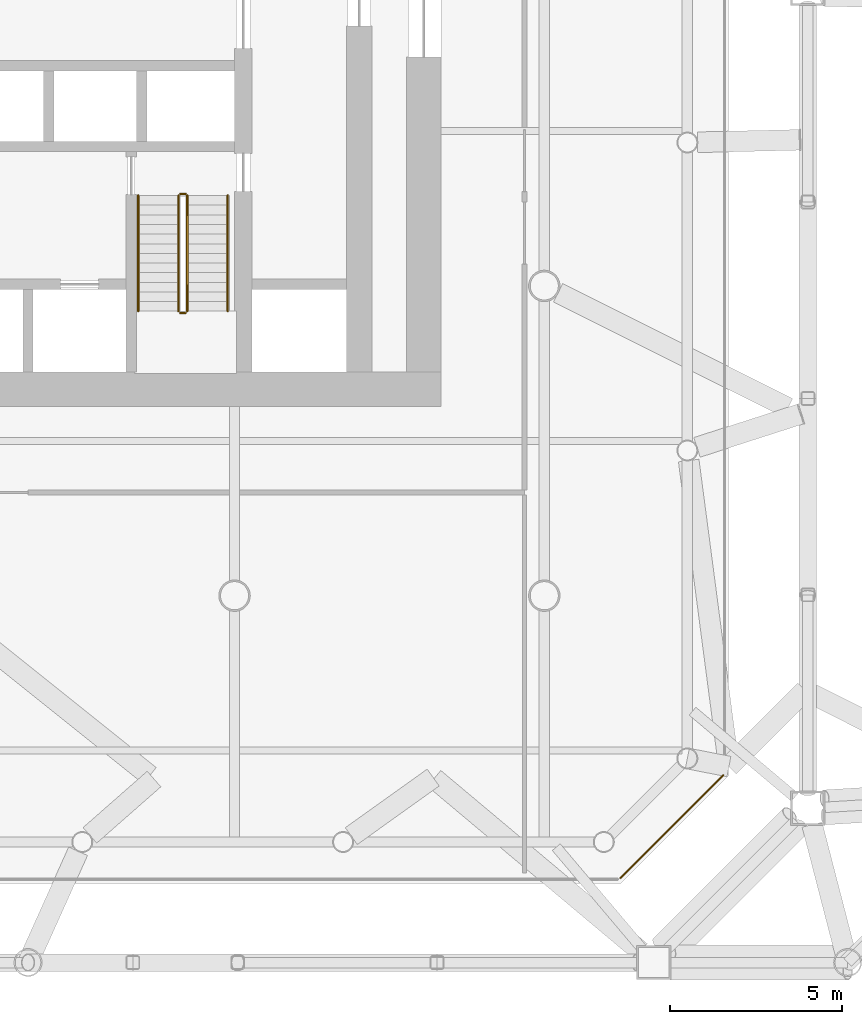
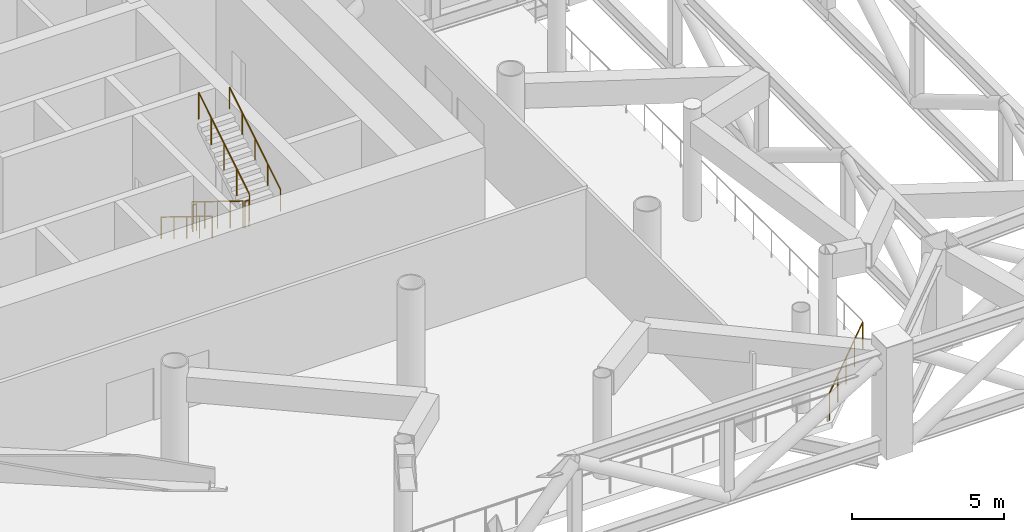
# One storey, part 19 of 22: 7 railings.
"""IFC4 building model written with IfcOpenShell, lengths in metres."""

from ifc_helpers import new_model, si_unit, direction, frame, origin, origin_2d, place, context, subcontext, project, spatial, circle, extrude, material, type_object, element, save


model = new_model("IFC4")

# Units and contexts
model_context = context("Model", 3, precision=1e-05, world=origin(), true_north=direction((0.0, 1.0)))
body_context = subcontext(model_context, "Body", "Model", "MODEL_VIEW")
ifc_project = project(units=[si_unit("LENGTHUNIT", "METRE"), si_unit("AREAUNIT", "SQUARE_METRE"), si_unit("VOLUMEUNIT", "CUBIC_METRE"), si_unit("PLANEANGLEUNIT", "RADIAN"), si_unit("MASSUNIT", "GRAM", prefix="KILO")], contexts=[model_context])

# Site, building, storey
site_placement = place(None, origin())
site = spatial("IfcSite", under=ifc_project, at=site_placement, CompositionType="ELEMENT")
building_placement = place(site_placement, origin())
building = spatial("IfcBuilding", under=site, at=building_placement, Name="Tskaro Facet Tower", CompositionType="ELEMENT")
storey_placement = place(building_placement, frame((0.0, 0.0, 57.60009765625)))
storey = spatial("IfcBuildingStorey", under=building, at=storey_placement, Name="L13", CompositionType="ELEMENT", Elevation=57.60009765625)

# Railings
ifc_material_1 = material(Name="Bronze anodised aluminium 6063-T6", Category="aluminium")
railing_type_1 = type_object("IfcRailingType", Name="Bronze guard rail (GD1)", PredefinedType="GUARDRAIL", material=ifc_material_1)
railing_1_placement = place(storey_placement, frame((20.207763671875, -26.205078125, 0.0)))
element("IfcRailing", 1, at=railing_1_placement, inside=storey, type_object=railing_type_1, Name="Guard L13", PredefinedType="GUARDRAIL", context=body_context, shape_type="SweptSolid", body=[
    extrude(circle(Radius=0.02490234375, at=origin_2d()), frame((0.0, 0.0, 1.0751953125), z_axis=(0.707106781187, 0.707106781187, 0.0), x_axis=(-0.707106781187, 0.707106781187, 0.0)), (0.0, 0.0, 1.0), 4.23876953125),
    extrude(circle(Radius=0.02001953125, at=origin_2d()), origin(), (0.0, 0.0, 1.0), 1.050048828125),
    extrude(circle(Radius=0.02001953125, at=origin_2d()), frame((0.749267578125, 0.749267578125, 0.0)), (0.0, 0.0, 1.0), 1.050048828125),
    extrude(circle(Radius=0.02001953125, at=origin_2d()), frame((1.49853515625, 1.49853515625, 0.0)), (0.0, 0.0, 1.0), 1.050048828125),
    extrude(circle(Radius=0.02001953125, at=origin_2d()), frame((2.248046875, 2.248046875, 0.0)), (0.0, 0.0, 1.0), 1.050048828125),
    extrude(circle(Radius=0.02001953125, at=origin_2d()), frame((2.997314453125, 2.997314453125, 0.0)), (0.0, 0.0, 1.0), 1.050048828125),
])
ifc_material_2 = material(Name="Stainless steel", Category="steel")
railing_type_2 = type_object("IfcRailingType", Name="RL-GUARD-1100", PredefinedType="GUARDRAIL", material=ifc_material_2)
railing_2_placement = place(storey_placement, frame((7.375, -6.375, 0.173095703125)))
element("IfcRailing", 2, at=railing_2_placement, inside=storey, type_object=railing_type_2, Name="L13 ST-2 stair guard 1", PredefinedType="GUARDRAIL", context=body_context, shape_type="SweptSolid", body=[
    extrude(circle(Radius=0.02392578125, at=origin_2d()), frame((0.0, 0.0, 1.076171875), z_axis=(0.0, -0.850623216509, 0.525775754039), x_axis=(1.0, 0.0, 0.0)), (0.0, 0.0, 1.0), 3.9501953125),
    extrude(circle(Radius=0.02099609375, at=origin_2d()), origin(), (0.0, 0.0, 1.0), 1.052001953125),
    extrude(circle(Radius=0.02099609375, at=origin_2d()), frame((0.0, -0.840087890625, 0.519287109375)), (0.0, 0.0, 1.0), 1.052001953125),
    extrude(circle(Radius=0.02099609375, at=origin_2d()), frame((0.0, -1.68017578125, 1.03857421875)), (0.0, 0.0, 1.0), 1.052001953125),
    extrude(circle(Radius=0.02099609375, at=origin_2d()), frame((0.0, -2.52001953125, 1.5576171875)), (0.0, 0.0, 1.0), 1.052001953125),
    extrude(circle(Radius=0.02099609375, at=origin_2d()), frame((0.0, -3.360107421875, 2.076904296875)), (0.0, 0.0, 1.0), 1.052001953125),
])
railing_3_placement = place(storey_placement, frame((7.425048828125, -9.784912109375, 2.25)))
element("IfcRailing", 3, at=railing_3_placement, inside=storey, type_object=railing_type_2, Name="L13 ST-2 stair guard 2", PredefinedType="GUARDRAIL", context=body_context, shape_type="SweptSolid", body=[
    extrude(circle(Radius=0.02392578125, at=origin_2d()), frame((0.0, 0.0, 1.076171875), z_axis=(1.0, 0.0, 0.0), x_axis=(0.0, 1.0, 0.0)), (0.0, 0.0, 1.0), 0.14990234375),
    extrude(circle(Radius=0.02099609375, at=origin_2d()), origin(), (0.0, 0.0, 1.0), 1.052001953125),
    extrude(circle(Radius=0.02099609375, at=origin_2d()), frame((0.14990234375, 0.0, 0.0)), (0.0, 0.0, 1.0), 1.052001953125),
])
railing_4_placement = place(storey_placement, frame((7.625, -9.735107421875, 2.423095703125)))
element("IfcRailing", 4, at=railing_4_placement, inside=storey, type_object=railing_type_2, Name="L13 ST-2 stair guard 3", PredefinedType="GUARDRAIL", context=body_context, shape_type="SweptSolid", body=[
    extrude(circle(Radius=0.02392578125, at=origin_2d()), frame((0.0, 0.0, 1.076171875), z_axis=(0.0, 0.850623216509, 0.525775754039), x_axis=(-1.0, 0.0, 0.0)), (0.0, 0.0, 1.0), 3.9501953125),
    extrude(circle(Radius=0.02099609375, at=origin_2d()), origin(), (0.0, 0.0, 1.0), 1.052001953125),
    extrude(circle(Radius=0.02099609375, at=origin_2d()), frame((0.0, 0.840087890625, 0.519287109375)), (0.0, 0.0, 1.0), 1.052001953125),
    extrude(circle(Radius=0.02099609375, at=origin_2d()), frame((0.0, 1.68017578125, 1.03857421875)), (0.0, 0.0, 1.0), 1.052001953125),
    extrude(circle(Radius=0.02099609375, at=origin_2d()), frame((0.0, 2.52001953125, 1.5576171875)), (0.0, 0.0, 1.0), 1.052001953125),
    extrude(circle(Radius=0.02099609375, at=origin_2d()), frame((0.0, 3.360107421875, 2.076904296875)), (0.0, 0.0, 1.0), 1.052001953125),
])
railing_5_placement = place(storey_placement, frame((7.425048828125, -6.324951171875, 0.0)))
element("IfcRailing", 5, at=railing_5_placement, inside=storey, type_object=railing_type_2, Name="L13 ST-2 stair guard 4", PredefinedType="GUARDRAIL", context=body_context, shape_type="SweptSolid", body=[
    extrude(circle(Radius=0.02392578125, at=origin_2d()), frame((0.0, 0.0, 1.076171875), z_axis=(1.0, 0.0, 0.0), x_axis=(0.0, 1.0, 0.0)), (0.0, 0.0, 1.0), 0.14990234375),
    extrude(circle(Radius=0.02099609375, at=origin_2d()), origin(), (0.0, 0.0, 1.0), 1.052001953125),
    extrude(circle(Radius=0.02099609375, at=origin_2d()), frame((0.14990234375, 0.0, 0.0)), (0.0, 0.0, 1.0), 1.052001953125),
])
railing_type_3 = type_object("IfcRailingType", Name="RL-HANDRAIL-900", PredefinedType="HANDRAIL", material=ifc_material_2)
railing_6_placement = place(storey_placement, frame((6.199951171875, -6.375, 0.173095703125)))
element("IfcRailing", 6, at=railing_6_placement, inside=storey, type_object=railing_type_3, Name="L13 ST-2 stair handrail 1", PredefinedType="HANDRAIL", context=body_context, shape_type="SweptSolid", body=[
    extrude(circle(Radius=0.02392578125, at=origin_2d()), frame((0.0, 0.0, 0.8759765625), z_axis=(0.0, -0.850623216509, 0.525775754039), x_axis=(1.0, 0.0, 0.0)), (0.0, 0.0, 1.0), 3.9501953125),
    extrude(circle(Radius=0.02099609375, at=origin_2d()), origin(), (0.0, 0.0, 1.0), 0.851806640625),
    extrude(circle(Radius=0.02099609375, at=origin_2d()), frame((0.0, -0.840087890625, 0.519287109375)), (0.0, 0.0, 1.0), 0.851806640625),
    extrude(circle(Radius=0.02099609375, at=origin_2d()), frame((0.0, -1.68017578125, 1.03857421875)), (0.0, 0.0, 1.0), 0.851806640625),
    extrude(circle(Radius=0.02099609375, at=origin_2d()), frame((0.0, -2.52001953125, 1.5576171875)), (0.0, 0.0, 1.0), 0.851806640625),
    extrude(circle(Radius=0.02099609375, at=origin_2d()), frame((0.0, -3.360107421875, 2.076904296875)), (0.0, 0.0, 1.0), 0.851806640625),
])
railing_7_placement = place(storey_placement, frame((8.800048828125, -9.735107421875, 2.423095703125)))
element("IfcRailing", 7, at=railing_7_placement, inside=storey, type_object=railing_type_3, Name="L13 ST-2 stair handrail 2", PredefinedType="HANDRAIL", context=body_context, shape_type="SweptSolid", body=[
    extrude(circle(Radius=0.02392578125, at=origin_2d()), frame((0.0, 0.0, 0.8759765625), z_axis=(0.0, 0.850623216509, 0.525775754039), x_axis=(-1.0, 0.0, 0.0)), (0.0, 0.0, 1.0), 3.9501953125),
    extrude(circle(Radius=0.02099609375, at=origin_2d()), origin(), (0.0, 0.0, 1.0), 0.851806640625),
    extrude(circle(Radius=0.02099609375, at=origin_2d()), frame((0.0, 0.840087890625, 0.519287109375)), (0.0, 0.0, 1.0), 0.851806640625),
    extrude(circle(Radius=0.02099609375, at=origin_2d()), frame((0.0, 1.68017578125, 1.03857421875)), (0.0, 0.0, 1.0), 0.851806640625),
    extrude(circle(Radius=0.02099609375, at=origin_2d()), frame((0.0, 2.52001953125, 1.5576171875)), (0.0, 0.0, 1.0), 0.851806640625),
    extrude(circle(Radius=0.02099609375, at=origin_2d()), frame((0.0, 3.360107421875, 2.076904296875)), (0.0, 0.0, 1.0), 0.851806640625),
])

save(model, "model.ifc")
